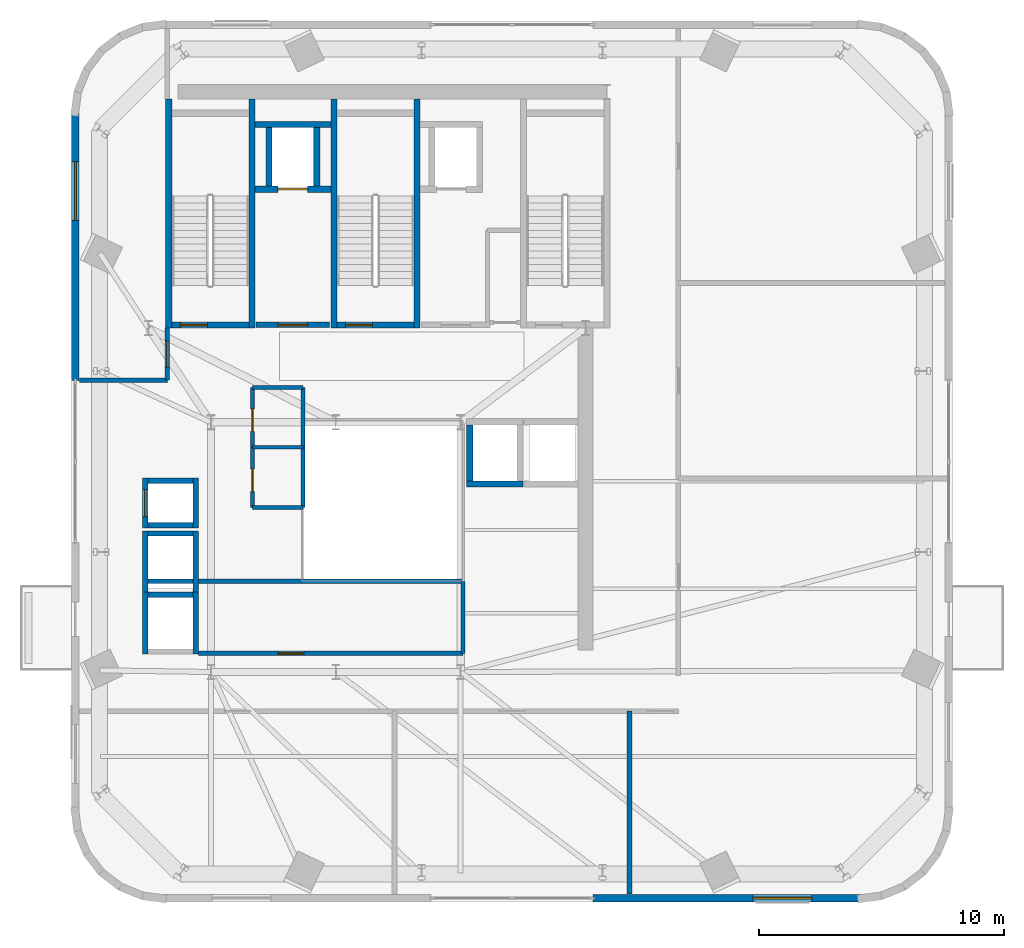
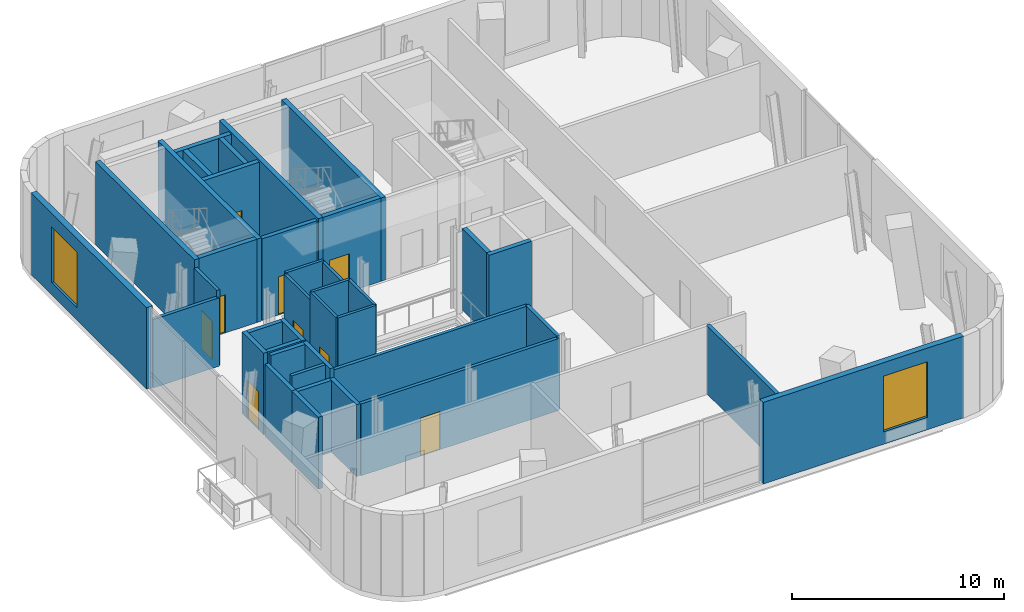
# One storey, part 6 of 11: 39 walls, 9 doors, 2 windows, 11 openings.
"""IFC4 building model written with IfcOpenShell, lengths in metres."""

from ifc_helpers import new_model, si_unit, direction, frame, frame_2d, origin, place, context, subcontext, project, spatial, rectangle, extrude, source, transform, mapped, material, layer, layer_set, type_object, element, fill, save


model = new_model("IFC4")

# Units and contexts
model_context = context("Model", 3, precision=1e-05, world=origin(), true_north=direction((0.0, 1.0)))
body_context = subcontext(model_context, "Body", "Model", "MODEL_VIEW")
ifc_project = project(units=[si_unit("LENGTHUNIT", "METRE"), si_unit("AREAUNIT", "SQUARE_METRE"), si_unit("VOLUMEUNIT", "CUBIC_METRE"), si_unit("PLANEANGLEUNIT", "RADIAN"), si_unit("MASSUNIT", "GRAM", prefix="KILO")], contexts=[model_context])

# Site, building, storey
site_placement = place(None, origin())
site = spatial("IfcSite", under=ifc_project, at=site_placement, CompositionType="ELEMENT")
building_placement = place(site_placement, origin())
building = spatial("IfcBuilding", under=site, at=building_placement, Name="Vardaveli Station Tower", CompositionType="ELEMENT")
storey_placement = place(building_placement, frame((0.0, 0.0, 296.14990234375)))
storey = spatial("IfcBuildingStorey", under=building, at=storey_placement, Name="L75", CompositionType="ELEMENT", Elevation=296.14990234375)

# Wall, opening, window
ifc_material_1 = material(Name="Precast concrete C45/55", Category="concrete")
ifc_layer_1 = layer(ifc_material_1, 0.320068359375, Name="Precast concrete C45/55")
ifc_layer_set_1 = layer_set([ifc_layer_1], Name="Precast concrete C45/55")
wall_type_1 = type_object("IfcWallType", Name="WAL-EXT-STONE-320", PredefinedType="SOLIDWALL", material=ifc_layer_set_1)
shared_shape_1 = source(origin(), body_context, "Body", "SweptSolid", [
    extrude(rectangle(XDim=10.919921875, YDim=0.320068359375, at=frame_2d((5.4599609375, 0.0))), origin(), (0.0, 0.0, 1.0), 4.7001953125),
])
wall_1_placement = place(storey_placement, frame((46.800048828125, 7.360107421875, 0.0), z_axis=(0.0, 0.0, 1.0), x_axis=(1.0, 0.0, 0.0)))
wall_1 = element("IfcWall", 1, at=wall_1_placement, inside=storey, type_object=wall_type_1, Name="EW-L75-S2", PredefinedType="SOLIDWALL", context=body_context, shape_type="MappedRepresentation", body=[
    mapped(shared_shape_1, transform((0.0, 0.0, 0.0), scale=1.0)),
])
shared_shape_2 = source(origin(), body_context, "Body", "SweptSolid", [
    extrude(rectangle(XDim=2.39990234375, YDim=3.199951171875, at=frame_2d((1.199951171875, 1.60009765625))), frame((0.0, 0.169921875, 0.0), z_axis=(0.0, -1.0, 0.0), x_axis=(1.0, 0.0, 0.0)), (0.0, 0.0, 1.0), 0.340087890625),
])
opening_1_placement = place(wall_1_placement, frame((6.551025390625, 0.0, 0.719970703125)))
opening_1 = element("IfcOpeningElement", 2, at=opening_1_placement, cuts=wall_1, Name="Opening W-06", PredefinedType="OPENING", context=body_context, shape_type="MappedRepresentation", body=[
    mapped(shared_shape_2, transform((0.0, 0.0, 0.0), scale=1.0)),
])
ifc_material_2 = material(Name="Low-iron tempered belvedere glass", Category="glass")
window_type = type_object("IfcWindowType", Name="WIN-OBS-2400x3200", PartitioningType="SINGLE_PANEL", PredefinedType="WINDOW", material=ifc_material_2)
shared_shape_3 = source(origin(), body_context, "Body", "SweptSolid", [
    extrude(rectangle(XDim=2.39990234375, YDim=3.199951171875, at=frame_2d((1.199951171875, 1.60009765625))), frame((0.0, 0.030029296875, 0.0), z_axis=(0.0, -1.0, 0.0), x_axis=(1.0, 0.0, 0.0)), (0.0, 0.0, 1.0), 0.06005859375),
])
window_1_placement = place(opening_1_placement, origin())
window_1 = element("IfcWindow", 3, at=window_1_placement, inside=storey, type_object=window_type, Name="WN-L75-S2", OverallHeight=3.199951171875, OverallWidth=2.39990234375, PartitioningType="SINGLE_PANEL", PredefinedType="WINDOW", context=body_context, shape_type="MappedRepresentation", body=[
    mapped(shared_shape_3, transform((0.0, 0.0, 0.0), scale=1.0)),
])
fill(opening_1, window_1)

wall_2_placement = place(storey_placement, frame((25.659912109375, 39.419921875, 0.0), z_axis=(0.0, 0.0, 1.0), x_axis=(0.0, -1.0, 0.0)))
wall_2 = element("IfcWall", 4, at=wall_2_placement, inside=storey, type_object=wall_type_1, Name="EW-L75-W1", PredefinedType="SOLIDWALL", context=body_context, shape_type="MappedRepresentation", body=[
    mapped(shared_shape_1, transform((0.0, 0.0, 0.0), scale=1.0)),
])
opening_2_placement = place(wall_2_placement, frame((1.968994140625, 0.0, 0.719970703125)))
opening_2 = element("IfcOpeningElement", 5, at=opening_2_placement, cuts=wall_2, Name="Opening W-06", PredefinedType="OPENING", context=body_context, shape_type="MappedRepresentation", body=[
    mapped(shared_shape_2, transform((0.0, 0.0, 0.0), scale=1.0)),
])
window_2_placement = place(opening_2_placement, origin())
window_2 = element("IfcWindow", 6, at=window_2_placement, inside=storey, type_object=window_type, Name="WN-L75-W1", OverallHeight=3.199951171875, OverallWidth=2.39990234375, PartitioningType="SINGLE_PANEL", PredefinedType="WINDOW", context=body_context, shape_type="MappedRepresentation", body=[
    mapped(shared_shape_3, transform((0.0, 0.0, 0.0), scale=1.0)),
])
fill(opening_2, window_2)

# Wall, opening, door
ifc_material_3 = material(Name="Concrete C40/50", Category="concrete")
ifc_layer_2 = layer(ifc_material_3, 0.25, Name="Concrete C40/50")
ifc_layer_set_2 = layer_set([ifc_layer_2], Name="Concrete C40/50")
wall_type_2 = type_object("IfcWallType", Name="WAL-SHAFT-250", PredefinedType="SOLIDWALL", material=ifc_layer_set_2)
shared_shape_4 = source(origin(), body_context, "Body", "SweptSolid", [
    extrude(rectangle(XDim=3.14990234375, YDim=0.25, at=frame_2d((1.574951171875, 0.0))), origin(), (0.0, 0.0, 1.0), 4.800048828125),
])
wall_3_placement = place(storey_placement, frame((29.60009765625, 30.77490234375, 0.0), z_axis=(0.0, 0.0, 1.0), x_axis=(1.0, 0.0, 0.0)))
wall_3 = element("IfcWall", 7, at=wall_3_placement, inside=storey, type_object=wall_type_2, Name="W-L75-ST-1S", PredefinedType="SOLIDWALL", context=body_context, shape_type="MappedRepresentation", body=[
    mapped(shared_shape_4, transform((0.0, 0.0, 0.0), scale=1.0)),
])
shared_shape_5 = source(origin(), body_context, "Body", "SweptSolid", [
    extrude(rectangle(XDim=1.10009765625, YDim=2.199951171875, at=frame_2d((0.550048828125, 1.10009765625))), frame((0.0, 0.135009765625, 0.0), z_axis=(0.0, -1.0, 0.0), x_axis=(1.0, 0.0, 0.0)), (0.0, 0.0, 1.0), 0.27001953125),
])
opening_3_placement = place(wall_3_placement, frame((0.35009765625, 0.0, 0.0)))
opening_3 = element("IfcOpeningElement", 8, at=opening_3_placement, cuts=wall_3, Name="Opening D-04", PredefinedType="OPENING", context=body_context, shape_type="MappedRepresentation", body=[
    mapped(shared_shape_5, transform((0.0, 0.0, 0.0), scale=1.0)),
])
ifc_material_4 = material(Name="Steel smokeproof fire doorset", Category="steel")
door_type_1 = type_object("IfcDoorType", Name="DR-ST-1100x2200", OperationType="NOTDEFINED", PredefinedType="DOOR", material=ifc_material_4)
shared_shape_6 = source(origin(), body_context, "Body", "SweptSolid", [
    extrude(rectangle(XDim=1.10009765625, YDim=2.199951171875, at=frame_2d((0.550048828125, 1.10009765625))), frame((0.0, 0.02490234375, 0.0), z_axis=(0.0, -1.0, 0.0), x_axis=(1.0, 0.0, 0.0)), (0.0, 0.0, 1.0), 0.050048828125),
])
door_1_placement = place(opening_3_placement, origin())
door_1 = element("IfcDoor", 9, at=door_1_placement, inside=storey, type_object=door_type_1, Name="DST-1-L75", OperationType="SINGLE_SWING_LEFT", OverallHeight=2.199951171875, OverallWidth=1.10009765625, PredefinedType="DOOR", context=body_context, shape_type="MappedRepresentation", body=[
    mapped(shared_shape_6, transform((0.0, 0.0, 0.0), scale=1.0)),
])
fill(opening_3, door_1)

wall_4_placement = place(storey_placement, frame((36.35009765625, 30.77490234375, 0.0), z_axis=(0.0, 0.0, 1.0), x_axis=(1.0, 0.0, 0.0)))
wall_4 = element("IfcWall", 10, at=wall_4_placement, inside=storey, type_object=wall_type_2, Name="W-L75-ST-2S", PredefinedType="SOLIDWALL", context=body_context, shape_type="MappedRepresentation", body=[
    mapped(shared_shape_4, transform((0.0, 0.0, 0.0), scale=1.0)),
])
opening_4_placement = place(wall_4_placement, frame((0.35009765625, 0.0, 0.0)))
opening_4 = element("IfcOpeningElement", 11, at=opening_4_placement, cuts=wall_4, Name="Opening D-04", PredefinedType="OPENING", context=body_context, shape_type="MappedRepresentation", body=[
    mapped(shared_shape_5, transform((0.0, 0.0, 0.0), scale=1.0)),
])
door_2_placement = place(opening_4_placement, origin())
door_2 = element("IfcDoor", 12, at=door_2_placement, inside=storey, type_object=door_type_1, Name="DST-2-L75", OperationType="SINGLE_SWING_LEFT", OverallHeight=2.199951171875, OverallWidth=1.10009765625, PredefinedType="DOOR", context=body_context, shape_type="MappedRepresentation", body=[
    mapped(shared_shape_6, transform((0.0, 0.0, 0.0), scale=1.0)),
])
fill(opening_4, door_2)

# Walls
shared_shape_7 = source(origin(), body_context, "Body", "SweptSolid", [
    extrude(rectangle(XDim=9.35009765625, YDim=0.25, at=frame_2d((4.675048828125, 0.0))), origin(), (0.0, 0.0, 1.0), 4.800048828125),
])
for number, where, z_axis, x_axis, name in (
    (13, (29.47509765625, 30.64990234375, 0.0), (0.0, 0.0, 1.0), (0.0, 1.0, 0.0), "W-L75-ST-1W"),
    (14, (32.875, 30.64990234375, 0.0), (0.0, 0.0, 1.0), (0.0, 1.0, 0.0), "W-L75-ST-1E"),
    (15, (36.22509765625, 30.64990234375, 0.0), (0.0, 0.0, 1.0), (0.0, 1.0, 0.0), "W-L75-ST-2W"),
    (16, (39.625, 30.64990234375, 0.0), (0.0, 0.0, 1.0), (0.0, 1.0, 0.0), "W-L75-ST-2E"),
):
    element("IfcWall", number, at=place(storey_placement, frame(where, z_axis=z_axis, x_axis=x_axis)), inside=storey, type_object=wall_type_2, Name=name, PredefinedType="SOLIDWALL", context=body_context, shape_type="MappedRepresentation", body=[
        mapped(shared_shape_7, transform((0.0, 0.0, 0.0), scale=1.0)),
    ])

# Wall, opening, door
ifc_layer_3 = layer(ifc_material_3, 0.219970703125, Name="Concrete C40/50")
ifc_layer_set_3 = layer_set([ifc_layer_3], Name="Concrete C40/50")
wall_type_3 = type_object("IfcWallType", Name="WAL-FFLOBBY-220", PredefinedType="SOLIDWALL", material=ifc_layer_set_3)
shared_shape_8 = source(origin(), body_context, "Body", "SweptSolid", [
    extrude(rectangle(XDim=3.0, YDim=0.219970703125, at=frame_2d((1.5, 0.0))), origin(), (0.0, 0.0, 1.0), 4.7001953125),
])
wall_5_placement = place(storey_placement, frame((33.050048828125, 30.780029296875, 0.0), z_axis=(0.0, 0.0, 1.0), x_axis=(1.0, 0.0, 0.0)))
wall_5 = element("IfcWall", 17, at=wall_5_placement, inside=storey, type_object=wall_type_3, Name="W-L75-FFL1S", PredefinedType="SOLIDWALL", context=body_context, shape_type="MappedRepresentation", body=[
    mapped(shared_shape_8, transform((0.0, 0.0, 0.0), scale=1.0)),
])
shared_shape_9 = source(origin(), body_context, "Body", "SweptSolid", [
    extrude(rectangle(XDim=1.199951171875, YDim=2.199951171875, at=frame_2d((0.60009765625, 1.10009765625))), frame((0.0, 0.1201171875, 0.0), z_axis=(0.0, -1.0, 0.0), x_axis=(1.0, 0.0, 0.0)), (0.0, 0.0, 1.0), 0.239990234375),
])
opening_5_placement = place(wall_5_placement, frame((0.89990234375, 0.0, 0.0)))
opening_5 = element("IfcOpeningElement", 18, at=opening_5_placement, cuts=wall_5, Name="Opening D-03", PredefinedType="OPENING", context=body_context, shape_type="MappedRepresentation", body=[
    mapped(shared_shape_9, transform((0.0, 0.0, 0.0), scale=1.0)),
])
door_type_2 = type_object("IfcDoorType", Name="DR-FFL-1200x2200", OperationType="NOTDEFINED", PredefinedType="DOOR", material=ifc_material_4)
shared_shape_10 = source(origin(), body_context, "Body", "SweptSolid", [
    extrude(rectangle(XDim=1.199951171875, YDim=2.199951171875, at=frame_2d((0.60009765625, 1.10009765625))), frame((0.0, 0.02490234375, 0.0), z_axis=(0.0, -1.0, 0.0), x_axis=(1.0, 0.0, 0.0)), (0.0, 0.0, 1.0), 0.050048828125),
])
door_3_placement = place(opening_5_placement, origin())
door_3 = element("IfcDoor", 19, at=door_3_placement, inside=storey, type_object=door_type_2, Name="DFFL1-L75", OperationType="SINGLE_SWING_LEFT", OverallHeight=2.199951171875, OverallWidth=1.199951171875, PredefinedType="DOOR", context=body_context, shape_type="MappedRepresentation", body=[
    mapped(shared_shape_10, transform((0.0, 0.0, 0.0), scale=1.0)),
])
fill(opening_5, door_3)

shared_shape_11 = source(origin(), body_context, "Body", "SweptSolid", [
    extrude(rectangle(XDim=3.10009765625, YDim=0.25, at=frame_2d((1.550048828125, 0.0))), origin(), (0.0, 0.0, 1.0), 4.7001953125),
])
wall_6_placement = place(storey_placement, frame((33.0, 36.324951171875, 0.0), z_axis=(0.0, 0.0, 1.0), x_axis=(1.0, 0.0, 0.0)))
wall_6 = element("IfcWall", 20, at=wall_6_placement, inside=storey, type_object=wall_type_2, Name="SHW-FFL-01-L75-S", PredefinedType="SOLIDWALL", context=body_context, shape_type="MappedRepresentation", body=[
    mapped(shared_shape_11, transform((0.0, 0.0, 0.0), scale=1.0)),
])
shared_shape_12 = source(origin(), body_context, "Body", "SweptSolid", [
    extrude(rectangle(XDim=1.199951171875, YDim=2.25, at=frame_2d((0.60009765625, 1.125))), frame((0.0, 0.135009765625, 0.0), z_axis=(0.0, -1.0, 0.0), x_axis=(1.0, 0.0, 0.0)), (0.0, 0.0, 1.0), 0.27001953125),
])
opening_6_placement = place(wall_6_placement, frame((0.949951171875, 0.0, 0.0)))
opening_6 = element("IfcOpeningElement", 21, at=opening_6_placement, cuts=wall_6, Name="Opening LD-02", PredefinedType="OPENING", context=body_context, shape_type="MappedRepresentation", body=[
    mapped(shared_shape_12, transform((0.0, 0.0, 0.0), scale=1.0)),
])
ifc_material_5 = material(Name="Brushed stainless steel", Category="steel")
door_type_3 = type_object("IfcDoorType", Name="DR-LD-1200x2250", OperationType="DOUBLE_DOOR_SLIDING", PredefinedType="DOOR", material=ifc_material_5)
shared_shape_13 = source(origin(), body_context, "Body", "SweptSolid", [
    extrude(rectangle(XDim=1.199951171875, YDim=2.25, at=frame_2d((0.60009765625, 1.125))), frame((0.0, 0.02490234375, 0.0), z_axis=(0.0, -1.0, 0.0), x_axis=(1.0, 0.0, 0.0)), (0.0, 0.0, 1.0), 0.050048828125),
])
door_4_placement = place(opening_6_placement, origin())
door_4 = element("IfcDoor", 22, at=door_4_placement, inside=storey, type_object=door_type_3, Name="LD-FFL-01-L75", OperationType="DOUBLE_DOOR_SLIDING", OverallHeight=2.25, OverallWidth=1.199951171875, PredefinedType="DOOR", context=body_context, shape_type="MappedRepresentation", body=[
    mapped(shared_shape_13, transform((0.0, 0.0, 0.0), scale=1.0)),
])
fill(opening_6, door_4)

# Walls
wall_7_placement = place(storey_placement, frame((33.0, 38.97509765625, 0.0), z_axis=(0.0, 0.0, 1.0), x_axis=(1.0, 0.0, 0.0)))
element("IfcWall", 23, at=wall_7_placement, inside=storey, type_object=wall_type_2, Name="SHW-FFL-01-L75-N", PredefinedType="SOLIDWALL", context=body_context, shape_type="MappedRepresentation", body=[
    mapped(shared_shape_11, transform((0.0, 0.0, 0.0), scale=1.0)),
])
shared_shape_14 = source(origin(), body_context, "Body", "SweptSolid", [
    extrude(rectangle(XDim=2.400146484375, YDim=0.25, at=frame_2d((1.2001953125, 0.0))), origin(), (0.0, 0.0, 1.0), 4.7001953125),
])
for number, where, z_axis, x_axis, name in (
    (24, (33.574951171875, 36.449951171875, 0.0), (0.0, 0.0, 1.0), (0.0, 1.0, 0.0), "SHW-FFL-01-L75-W"),
    (25, (35.52490234375, 36.449951171875, 0.0), (0.0, 0.0, 1.0), (0.0, 1.0, 0.0), "SHW-FFL-01-L75-E"),
):
    element("IfcWall", number, at=place(storey_placement, frame(where, z_axis=z_axis, x_axis=x_axis)), inside=storey, type_object=wall_type_2, Name=name, PredefinedType="SOLIDWALL", context=body_context, shape_type="MappedRepresentation", body=[
        mapped(shared_shape_14, transform((0.0, 0.0, 0.0), scale=1.0)),
    ])
shared_shape_15 = source(origin(), body_context, "Body", "SweptSolid", [
    extrude(rectangle(XDim=1.85009765625, YDim=0.219970703125, at=frame_2d((0.925048828125, 0.0))), origin(), (0.0, 0.0, 1.0), 4.7001953125),
])
for number, where, z_axis, x_axis, name in (
    (26, (28.625, 22.260009765625, 0.0), (0.0, 0.0, 1.0), (1.0, 0.0, 0.0), "SHW-OBS-02-L75-N"),
    (27, (28.625, 22.590087890625, 0.0), (0.0, 0.0, 1.0), (1.0, 0.0, 0.0), "SHW-CRN-01-L75-S"),
    (28, (28.625, 24.409912109375, 0.0), (0.0, 0.0, 1.0), (1.0, 0.0, 0.0), "SHW-CRN-01-L75-N"),
):
    element("IfcWall", number, at=place(storey_placement, frame(where, z_axis=z_axis, x_axis=x_axis)), inside=storey, type_object=wall_type_3, Name=name, PredefinedType="SOLIDWALL", context=body_context, shape_type="MappedRepresentation", body=[
        mapped(shared_shape_15, transform((0.0, 0.0, 0.0), scale=1.0)),
    ])
shared_shape_16 = source(origin(), body_context, "Body", "SweptSolid", [
    extrude(rectangle(XDim=2.5400390625, YDim=0.219970703125, at=frame_2d((1.27001953125, 0.0))), origin(), (0.0, 0.0, 1.0), 4.7001953125),
])
wall_8_placement = place(storey_placement, frame((30.5849609375, 19.830078125, 0.0), z_axis=(0.0, 0.0, 1.0), x_axis=(0.0, 1.0, 0.0)))
element("IfcWall", 29, at=wall_8_placement, inside=storey, type_object=wall_type_3, Name="SHW-OBS-02-L75-E", PredefinedType="SOLIDWALL", context=body_context, shape_type="MappedRepresentation", body=[
    mapped(shared_shape_16, transform((0.0, 0.0, 0.0), scale=1.0)),
])
shared_shape_17 = source(origin(), body_context, "Body", "SweptSolid", [
    extrude(rectangle(XDim=1.85009765625, YDim=0.219970703125, at=frame_2d((0.925048828125, 0.0))), origin(), (0.0, 0.0, 1.0), 4.14208984375),
])
wall_9_placement = place(storey_placement, frame((28.625, 19.760009765625, 0.0), z_axis=(0.0, 0.0, 1.0), x_axis=(1.0, 0.0, 0.0)))
element("IfcWall", 30, at=wall_9_placement, inside=storey, type_object=wall_type_3, Name="SHW-OBS-01-L75-N", PredefinedType="SOLIDWALL", context=body_context, shape_type="MappedRepresentation", body=[
    mapped(shared_shape_17, transform((0.0, 0.0, 0.0), scale=1.0)),
])
shared_shape_18 = source(origin(), body_context, "Body", "SweptSolid", [
    extrude(rectangle(XDim=2.5400390625, YDim=0.219970703125, at=frame_2d((1.27001953125, 0.0))), origin(), (0.0, 0.0, 1.0), 4.14208984375),
])
for number, where, z_axis, x_axis, name in (
    (31, (28.514892578125, 17.330078125, 0.0), (0.0, 0.0, 1.0), (0.0, 1.0, 0.0), "SHW-OBS-01-L75-W"),
    (32, (30.5849609375, 17.330078125, 0.0), (0.0, 0.0, 1.0), (0.0, 1.0, 0.0), "SHW-OBS-01-L75-E"),
    (33, (28.514892578125, 19.830078125, 0.0), (0.0, 0.0, 1.0), (0.0, 1.0, 0.0), "SHW-OBS-02-L75-W"),
):
    element("IfcWall", number, at=place(storey_placement, frame(where, z_axis=z_axis, x_axis=x_axis)), inside=storey, type_object=wall_type_3, Name=name, PredefinedType="SOLIDWALL", context=body_context, shape_type="MappedRepresentation", body=[
        mapped(shared_shape_18, transform((0.0, 0.0, 0.0), scale=1.0)),
    ])

# Wall, opening, door
shared_shape_19 = source(origin(), body_context, "Body", "SweptSolid", [
    extrude(rectangle(XDim=2.0400390625, YDim=0.219970703125, at=frame_2d((1.02001953125, 0.0))), origin(), (0.0, 0.0, 1.0), 4.7001953125),
])
wall_10_placement = place(storey_placement, frame((28.514892578125, 22.47998046875, 0.0), z_axis=(0.0, 0.0, 1.0), x_axis=(0.0, 1.0, 0.0)))
wall_10 = element("IfcWall", 34, at=wall_10_placement, inside=storey, type_object=wall_type_3, Name="SHW-CRN-01-L75-W", PredefinedType="SOLIDWALL", context=body_context, shape_type="MappedRepresentation", body=[
    mapped(shared_shape_19, transform((0.0, 0.0, 0.0), scale=1.0)),
])
shared_shape_20 = source(origin(), body_context, "Body", "SweptSolid", [
    extrude(rectangle(XDim=1.10009765625, YDim=2.199951171875, at=frame_2d((0.550048828125, 1.10009765625))), frame((0.0, 0.1201171875, 0.0), z_axis=(0.0, -1.0, 0.0), x_axis=(1.0, 0.0, 0.0)), (0.0, 0.0, 1.0), 0.239990234375),
])
opening_7_placement = place(wall_10_placement, frame((0.469970703125, 0.0, 0.0)))
opening_7 = element("IfcOpeningElement", 35, at=opening_7_placement, cuts=wall_10, Name="Opening LD-01", PredefinedType="OPENING", context=body_context, shape_type="MappedRepresentation", body=[
    mapped(shared_shape_20, transform((0.0, 0.0, 0.0), scale=1.0)),
])
door_type_4 = type_object("IfcDoorType", Name="DR-LD-1100x2200", OperationType="DOUBLE_DOOR_SLIDING", PredefinedType="DOOR", material=ifc_material_5)
door_5_placement = place(opening_7_placement, origin())
door_5 = element("IfcDoor", 36, at=door_5_placement, inside=storey, type_object=door_type_4, Name="LD-CRN-01-L75", OperationType="DOUBLE_DOOR_SLIDING", OverallHeight=2.199951171875, OverallWidth=1.10009765625, PredefinedType="DOOR", context=body_context, shape_type="MappedRepresentation", body=[
    mapped(shared_shape_6, transform((0.0, 0.0, 0.0), scale=1.0)),
])
fill(opening_7, door_5)

# Walls
wall_11_placement = place(storey_placement, frame((30.5849609375, 22.47998046875, 0.0), z_axis=(0.0, 0.0, 1.0), x_axis=(0.0, 1.0, 0.0)))
element("IfcWall", 37, at=wall_11_placement, inside=storey, type_object=wall_type_3, Name="SHW-CRN-01-L75-E", PredefinedType="SOLIDWALL", context=body_context, shape_type="MappedRepresentation", body=[
    mapped(shared_shape_19, transform((0.0, 0.0, 0.0), scale=1.0)),
])
shared_shape_21 = source(origin(), body_context, "Body", "SweptSolid", [
    extrude(rectangle(XDim=2.300048828125, YDim=0.25, at=frame_2d((1.14990234375, 0.0))), origin(), (0.0, 0.0, 1.0), 4.7001953125),
])
for number, where, z_axis, x_axis, name in (
    (38, (41.64990234375, 24.27490234375, 0.0), (0.0, 0.0, 1.0), (1.0, 0.0, 0.0), "SHW-SRV-01-L75-S"),
    (39, (41.77490234375, 24.39990234375, 0.0), (0.0, 0.0, 1.0), (0.0, 1.0, 0.0), "SHW-SRV-01-L75-W"),
):
    element("IfcWall", number, at=place(storey_placement, frame(where, z_axis=z_axis, x_axis=x_axis)), inside=storey, type_object=wall_type_2, Name=name, PredefinedType="SOLIDWALL", context=body_context, shape_type="MappedRepresentation", body=[
        mapped(shared_shape_21, transform((0.0, 0.0, 0.0), scale=1.0)),
    ])

# Wall, opening, door
ifc_material_6 = material(Name="Fire-rated gypsum stud partition")
ifc_layer_4 = layer(ifc_material_6, 0.179931640625, Name="Fire-rated gypsum stud partition")
ifc_layer_set_4 = layer_set([ifc_layer_4], Name="Fire-rated gypsum stud partition")
wall_type_4 = type_object("IfcWallType", Name="WAL-CORR-180", PredefinedType="PARTITIONING", material=ifc_layer_set_4)
shared_shape_22 = source(origin(), body_context, "Body", "SweptSolid", [
    extrude(rectangle(XDim=2.1298828125, YDim=0.179931640625, at=frame_2d((1.06494140625, 0.0))), origin(), (0.0, 0.0, 1.0), 4.33203125),
])
wall_12_placement = place(storey_placement, frame((29.419921875, 28.52001953125, 0.0), z_axis=(0.0, 0.0, 1.0), x_axis=(0.0, 1.0, 0.0)))
wall_12 = element("IfcWall", 40, at=wall_12_placement, inside=storey, type_object=wall_type_4, Name="W-L75-OBNW-E-P1", PredefinedType="PARTITIONING", context=body_context, shape_type="MappedRepresentation", body=[
    mapped(shared_shape_22, transform((0.0, 0.0, 0.0), scale=1.0)),
])
shared_shape_23 = source(origin(), body_context, "Body", "SweptSolid", [
    extrude(rectangle(XDim=1.050048828125, YDim=2.199951171875, at=frame_2d((0.52490234375, 1.10009765625))), frame((0.0, 0.10009765625, 0.0), z_axis=(0.0, -1.0, 0.0), x_axis=(1.0, 0.0, 0.0)), (0.0, 0.0, 1.0), 0.199951171875),
])
opening_8_placement = place(wall_12_placement, frame((0.550048828125, 0.0, 0.0)))
opening_8 = element("IfcOpeningElement", 41, at=opening_8_placement, cuts=wall_12, Name="Opening D-05", PredefinedType="OPENING", context=body_context, shape_type="MappedRepresentation", body=[
    mapped(shared_shape_23, transform((0.0, 0.0, 0.0), scale=1.0)),
])
ifc_material_7 = material(Name="Walnut veneer acoustic fire door")
door_type_5 = type_object("IfcDoorType", Name="DR-SUITE-1050x2200", OperationType="NOTDEFINED", PredefinedType="DOOR", material=ifc_material_7)
shared_shape_24 = source(origin(), body_context, "Body", "SweptSolid", [
    extrude(rectangle(XDim=1.050048828125, YDim=2.199951171875, at=frame_2d((0.52490234375, 1.10009765625))), frame((0.0, 0.02490234375, 0.0), z_axis=(0.0, -1.0, 0.0), x_axis=(1.0, 0.0, 0.0)), (0.0, 0.0, 1.0), 0.050048828125),
])
door_6_placement = place(opening_8_placement, origin())
door_6 = element("IfcDoor", 42, at=door_6_placement, inside=storey, type_object=door_type_5, Name="D-L75-OBNW", OperationType="SINGLE_SWING_LEFT", OverallHeight=2.199951171875, OverallWidth=1.050048828125, PredefinedType="DOOR", context=body_context, shape_type="MappedRepresentation", body=[
    mapped(shared_shape_24, transform((0.0, 0.0, 0.0), scale=1.0)),
])
fill(opening_8, door_6)

# Wall
shared_shape_25 = source(origin(), body_context, "Body", "SweptSolid", [
    extrude(rectangle(XDim=10.802978515625, YDim=0.179931640625, at=frame_2d((5.4013671875, 0.0))), origin(), (0.0, 0.0, 1.0), 4.2421875),
])
wall_13_placement = place(storey_placement, frame((30.697021484375, 20.300048828125, 0.0), z_axis=(0.0, 0.0, 1.0), x_axis=(1.0, 0.0, 0.0)))
element("IfcWall", 43, at=wall_13_placement, inside=storey, type_object=wall_type_4, Name="W-L75-OBSA-N-P2", PredefinedType="PARTITIONING", context=body_context, shape_type="MappedRepresentation", body=[
    mapped(shared_shape_25, transform((0.0, 0.0, 0.0), scale=1.0)),
])

# Wall, opening, door
ifc_material_8 = material(Name="Moisture-resistant stud partition")
ifc_layer_5 = layer(ifc_material_8, 0.14990234375, Name="Moisture-resistant stud partition")
ifc_layer_set_5 = layer_set([ifc_layer_5], Name="Moisture-resistant stud partition")
wall_type_5 = type_object("IfcWallType", Name="WAL-WET-150", PredefinedType="PARTITIONING", material=ifc_layer_set_5)
shared_shape_26 = source(origin(), body_context, "Body", "SweptSolid", [
    extrude(rectangle(XDim=2.4599609375, YDim=0.14990234375, at=frame_2d((1.22998046875, 0.0))), origin(), (0.0, 0.0, 1.0), 4.7001953125),
])
wall_14_placement = place(storey_placement, frame((32.89990234375, 23.320068359375, 0.0), z_axis=(0.0, 0.0, 1.0), x_axis=(0.0, 1.0, 0.0)))
wall_14 = element("IfcWall", 44, at=wall_14_placement, inside=storey, type_object=wall_type_5, Name="W-L75-WCF-W", PredefinedType="PARTITIONING", context=body_context, shape_type="MappedRepresentation", body=[
    mapped(shared_shape_26, transform((0.0, 0.0, 0.0), scale=1.0)),
])
shared_shape_27 = source(origin(), body_context, "Body", "SweptSolid", [
    extrude(rectangle(XDim=0.919921875, YDim=2.10009765625, at=frame_2d((0.4599609375, 1.050048828125))), frame((0.0, 0.0849609375, 0.0), z_axis=(0.0, -1.0, 0.0), x_axis=(1.0, 0.0, 0.0)), (0.0, 0.0, 1.0), 0.169921875),
])
opening_9_placement = place(wall_14_placement, frame((0.64990234375, 0.0, 0.0)))
opening_9 = element("IfcOpeningElement", 45, at=opening_9_placement, cuts=wall_14, Name="Opening D-07", PredefinedType="OPENING", context=body_context, shape_type="MappedRepresentation", body=[
    mapped(shared_shape_27, transform((0.0, 0.0, 0.0), scale=1.0)),
])
ifc_material_9 = material(Name="Moisture-resistant hardwood door", Category="wood")
door_type_6 = type_object("IfcDoorType", Name="DR-WC-920x2100", OperationType="NOTDEFINED", PredefinedType="DOOR", material=ifc_material_9)
shared_shape_28 = source(origin(), body_context, "Body", "SweptSolid", [
    extrude(rectangle(XDim=0.919921875, YDim=2.10009765625, at=frame_2d((0.4599609375, 1.050048828125))), frame((0.0, 0.02490234375, 0.0), z_axis=(0.0, -1.0, 0.0), x_axis=(1.0, 0.0, 0.0)), (0.0, 0.0, 1.0), 0.050048828125),
])
door_7_placement = place(opening_9_placement, origin())
door_7 = element("IfcDoor", 46, at=door_7_placement, inside=storey, type_object=door_type_6, Name="D-L75-WCF", OperationType="SINGLE_SWING_RIGHT", OverallHeight=2.10009765625, OverallWidth=0.919921875, PredefinedType="DOOR", context=body_context, shape_type="MappedRepresentation", body=[
    mapped(shared_shape_28, transform((0.0, 0.0, 0.0), scale=1.0)),
])
fill(opening_9, door_7)

# Wall
wall_15_placement = place(storey_placement, frame((34.9599609375, 23.320068359375, 0.0), z_axis=(0.0, 0.0, 1.0), x_axis=(0.0, 1.0, 0.0)))
element("IfcWall", 47, at=wall_15_placement, inside=storey, type_object=wall_type_5, Name="W-L75-WCF-E", PredefinedType="PARTITIONING", context=body_context, shape_type="MappedRepresentation", body=[
    mapped(shared_shape_26, transform((0.0, 0.0, 0.0), scale=1.0)),
])

# Wall, opening, door
shared_shape_29 = source(origin(), body_context, "Body", "SweptSolid", [
    extrude(rectangle(XDim=2.43994140625, YDim=0.14990234375, at=frame_2d((1.219970703125, 0.0))), origin(), (0.0, 0.0, 1.0), 4.2421875),
])
wall_16_placement = place(storey_placement, frame((32.89990234375, 25.780029296875, 0.0), z_axis=(0.0, 0.0, 1.0), x_axis=(0.0, 1.0, 0.0)))
wall_16 = element("IfcWall", 48, at=wall_16_placement, inside=storey, type_object=wall_type_5, Name="W-L75-WCM-W", PredefinedType="PARTITIONING", context=body_context, shape_type="MappedRepresentation", body=[
    mapped(shared_shape_29, transform((0.0, 0.0, 0.0), scale=1.0)),
])
opening_10_placement = place(wall_16_placement, frame((0.64990234375, 0.0, 0.0)))
opening_10 = element("IfcOpeningElement", 49, at=opening_10_placement, cuts=wall_16, Name="Opening D-07", PredefinedType="OPENING", context=body_context, shape_type="MappedRepresentation", body=[
    mapped(shared_shape_27, transform((0.0, 0.0, 0.0), scale=1.0)),
])
door_8_placement = place(opening_10_placement, origin())
door_8 = element("IfcDoor", 50, at=door_8_placement, inside=storey, type_object=door_type_6, Name="D-L75-WCM", OperationType="SINGLE_SWING_LEFT", OverallHeight=2.10009765625, OverallWidth=0.919921875, PredefinedType="DOOR", context=body_context, shape_type="MappedRepresentation", body=[
    mapped(shared_shape_28, transform((0.0, 0.0, 0.0), scale=1.0)),
])
fill(opening_10, door_8)

# Walls
wall_17_placement = place(storey_placement, frame((34.9599609375, 25.780029296875, 0.0), z_axis=(0.0, 0.0, 1.0), x_axis=(0.0, 1.0, 0.0)))
element("IfcWall", 51, at=wall_17_placement, inside=storey, type_object=wall_type_5, Name="W-L75-WCM-E", PredefinedType="PARTITIONING", context=body_context, shape_type="MappedRepresentation", body=[
    mapped(shared_shape_29, transform((0.0, 0.0, 0.0), scale=1.0)),
])
shared_shape_30 = source(origin(), body_context, "Body", "SweptSolid", [
    extrude(rectangle(XDim=1.845947265625, YDim=0.179931640625, at=frame_2d((0.9228515625, 0.0))), origin(), (0.0, 0.0, 1.0), 4.7001953125),
])
wall_18_placement = place(storey_placement, frame((28.626953125, 20.300048828125, 0.0), z_axis=(0.0, 0.0, 1.0), x_axis=(1.0, 0.0, 0.0)))
element("IfcWall", 52, at=wall_18_placement, inside=storey, type_object=wall_type_4, Name="W-L75-OBSA-N-P1", PredefinedType="PARTITIONING", context=body_context, shape_type="MappedRepresentation", body=[
    mapped(shared_shape_30, transform((0.0, 0.0, 0.0), scale=1.0)),
])
shared_shape_31 = source(origin(), body_context, "Body", "SweptSolid", [
    extrude(rectangle(XDim=2.06005859375, YDim=0.14990234375, at=frame_2d((1.030029296875, 0.0))), origin(), (0.0, 0.0, 1.0), 4.7001953125),
])
for number, where, z_axis, x_axis, name in (
    (53, (32.89990234375, 25.780029296875, 0.0), (0.0, 0.0, 1.0), (1.0, 0.0, 0.0), "W-L75-WCM-S"),
    (54, (32.89990234375, 23.320068359375, 0.0), (0.0, 0.0, 1.0), (1.0, 0.0, 0.0), "W-L75-WCF-S"),
):
    element("IfcWall", number, at=place(storey_placement, frame(where, z_axis=z_axis, x_axis=x_axis)), inside=storey, type_object=wall_type_5, Name=name, PredefinedType="PARTITIONING", context=body_context, shape_type="MappedRepresentation", body=[
        mapped(shared_shape_31, transform((0.0, 0.0, 0.0), scale=1.0)),
    ])
shared_shape_32 = source(origin(), body_context, "Body", "SweptSolid", [
    extrude(rectangle(XDim=2.06005859375, YDim=0.14990234375, at=frame_2d((1.030029296875, 0.0))), origin(), (0.0, 0.0, 1.0), 4.33203125),
])
wall_19_placement = place(storey_placement, frame((32.89990234375, 28.219970703125, 0.0), z_axis=(0.0, 0.0, 1.0), x_axis=(1.0, 0.0, 0.0)))
element("IfcWall", 55, at=wall_19_placement, inside=storey, type_object=wall_type_5, Name="W-L75-WCM-N", PredefinedType="PARTITIONING", context=body_context, shape_type="MappedRepresentation", body=[
    mapped(shared_shape_32, transform((0.0, 0.0, 0.0), scale=1.0)),
])
shared_shape_33 = source(origin(), body_context, "Body", "SweptSolid", [
    extrude(rectangle(XDim=2.93994140625, YDim=0.179931640625, at=frame_2d((1.469970703125, 0.0))), origin(), (0.0, 0.0, 1.0), 4.2421875),
])
wall_20_placement = place(storey_placement, frame((41.5, 17.360107421875, 0.0), z_axis=(0.0, 0.0, 1.0), x_axis=(0.0, 1.0, 0.0)))
element("IfcWall", 56, at=wall_20_placement, inside=storey, type_object=wall_type_4, Name="W-L75-OBSA-E", PredefinedType="PARTITIONING", context=body_context, shape_type="MappedRepresentation", body=[
    mapped(shared_shape_33, transform((0.0, 0.0, 0.0), scale=1.0)),
])

# Wall, opening, door
shared_shape_34 = source(origin(), body_context, "Body", "SweptSolid", [
    extrude(rectangle(XDim=10.802978515625, YDim=0.179931640625, at=frame_2d((5.4013671875, 0.0))), origin(), (0.0, 0.0, 1.0), 4.14208984375),
])
wall_21_placement = place(storey_placement, frame((30.697021484375, 17.360107421875, 0.0), z_axis=(0.0, 0.0, 1.0), x_axis=(1.0, 0.0, 0.0)))
wall_21 = element("IfcWall", 57, at=wall_21_placement, inside=storey, type_object=wall_type_4, Name="W-L75-OBSA-S", PredefinedType="PARTITIONING", context=body_context, shape_type="MappedRepresentation", body=[
    mapped(shared_shape_34, transform((0.0, 0.0, 0.0), scale=1.0)),
])
opening_11_placement = place(wall_21_placement, frame((3.2529296875, 0.0, 0.0)))
opening_11 = element("IfcOpeningElement", 58, at=opening_11_placement, cuts=wall_21, Name="Opening D-05", PredefinedType="OPENING", context=body_context, shape_type="MappedRepresentation", body=[
    mapped(shared_shape_23, transform((0.0, 0.0, 0.0), scale=1.0)),
])
door_9_placement = place(opening_11_placement, origin())
door_9 = element("IfcDoor", 59, at=door_9_placement, inside=storey, type_object=door_type_5, Name="D-L75-OBSA", OperationType="SINGLE_SWING_LEFT", OverallHeight=2.199951171875, OverallWidth=1.050048828125, PredefinedType="DOOR", context=body_context, shape_type="MappedRepresentation", body=[
    mapped(shared_shape_24, transform((0.0, 0.0, 0.0), scale=1.0)),
])
fill(opening_11, door_9)

# Walls
ifc_material_10 = material(Name="Acoustic twin-stud gypsum partition")
ifc_layer_6 = layer(ifc_material_10, 0.199951171875, Name="Acoustic twin-stud gypsum partition")
ifc_layer_set_6 = layer_set([ifc_layer_6], Name="Acoustic twin-stud gypsum partition")
wall_type_6 = type_object("IfcWallType", Name="WAL-PARTY-200", PredefinedType="PARTITIONING", material=ifc_layer_set_6)
shared_shape_35 = source(origin(), body_context, "Body", "SweptSolid", [
    extrude(rectangle(XDim=7.47802734375, YDim=0.199951171875, at=frame_2d((3.739013671875, 0.0))), origin(), (0.0, 0.0, 1.0), 3.942138671875),
])
wall_22_placement = place(storey_placement, frame((48.300048828125, 7.52197265625, 0.0), z_axis=(0.0, 0.0, 1.0), x_axis=(0.0, 1.0, 0.0)))
element("IfcWall", 60, at=wall_22_placement, inside=storey, type_object=wall_type_6, Name="W-L75-SM2", PredefinedType="PARTITIONING", context=body_context, shape_type="MappedRepresentation", body=[
    mapped(shared_shape_35, transform((0.0, 0.0, 0.0), scale=1.0)),
])
shared_shape_36 = source(origin(), body_context, "Body", "SweptSolid", [
    extrude(rectangle(XDim=3.597900390625, YDim=0.179931640625, at=frame_2d((1.798828125, 0.0))), origin(), (0.0, 0.0, 1.0), 3.942138671875),
])
wall_23_placement = place(storey_placement, frame((25.822021484375, 28.52001953125, 0.0), z_axis=(0.0, 0.0, 1.0), x_axis=(1.0, 0.0, 0.0)))
element("IfcWall", 61, at=wall_23_placement, inside=storey, type_object=wall_type_4, Name="W-L75-OBNW-S", PredefinedType="PARTITIONING", context=body_context, shape_type="MappedRepresentation", body=[
    mapped(shared_shape_36, transform((0.0, 0.0, 0.0), scale=1.0)),
])

save(model, "model.ifc")
